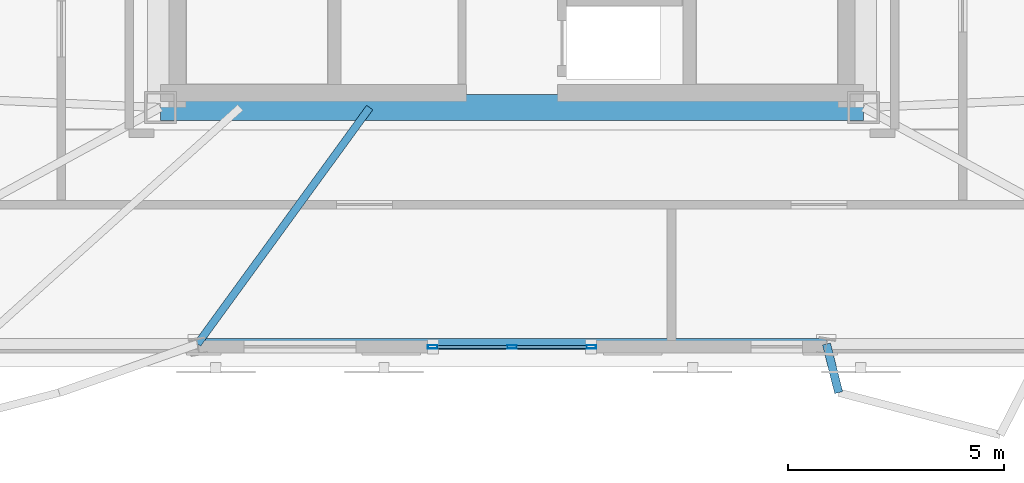
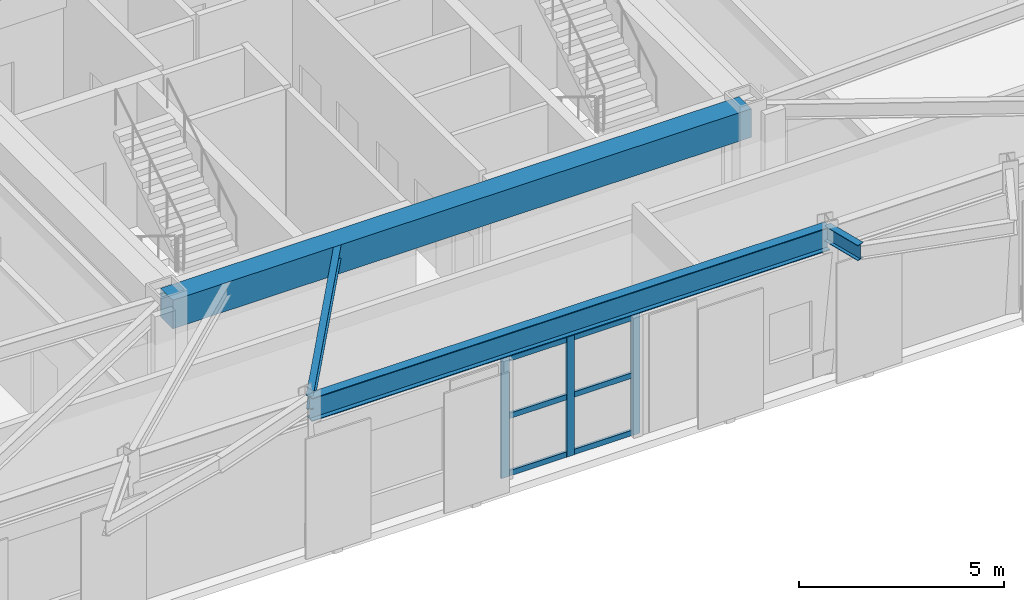
# One storey, part 2 of 14: 9 members, 4 beams, 1 element without a shape of its own.
"""IFC4 building model written with IfcOpenShell, lengths in metres."""

from ifc_helpers import new_model, si_unit, direction, frame, origin, origin_2d, place, context, subcontext, project, spatial, rectangle, hollow_rectangle, i_section, extrude, material, layer, layer_set, material_profile, profile_set, type_object, element, aggregate, save


model = new_model("IFC4")

# Units and contexts
model_context = context("Model", 3, precision=1e-05, world=origin(), true_north=direction((0.0, 1.0)))
body_context = subcontext(model_context, "Body", "Model", "MODEL_VIEW")
ifc_project = project(units=[si_unit("LENGTHUNIT", "METRE"), si_unit("AREAUNIT", "SQUARE_METRE"), si_unit("VOLUMEUNIT", "CUBIC_METRE"), si_unit("PLANEANGLEUNIT", "RADIAN"), si_unit("MASSUNIT", "GRAM", prefix="KILO")], contexts=[model_context])

# Site, building, storey
site_placement = place(None, origin())
site = spatial("IfcSite", under=ifc_project, at=site_placement, CompositionType="ELEMENT")
building_placement = place(site_placement, origin())
building = spatial("IfcBuilding", under=site, at=building_placement, Name="Oramaril Tower", CompositionType="ELEMENT")
storey_placement = place(building_placement, frame((0.0, 0.0, 204.60009765625)))
storey = spatial("IfcBuildingStorey", under=building, at=storey_placement, Name="L54", CompositionType="ELEMENT", Elevation=204.60009765625)

# Beams
ifc_material_1 = material(Name="Steel ASTM A572 Gr 50", Category="steel")
ifc_material_profile_1 = material_profile(ifc_material_1, i_section(OverallWidth=0.19091796875, OverallDepth=0.45703125, WebThickness=0.009033203125, FlangeThickness=0.014404296875, at=origin_2d()), Name="W18X50")
ifc_profile_set_1 = profile_set([ifc_material_profile_1], Name="Steel ASTM A572 Gr 50")
beam_type_1 = type_object("IfcBeamType", Name="BT-BB1", PredefinedType="BEAM", material=ifc_profile_set_1)
beam_1_placement = place(storey_placement, frame((44.793212890625, 5.517333984375, 4.051513671875), z_axis=(0.243918331587, -0.96979577619, 0.0), x_axis=(0.96979577619, 0.243918331587, 0.0)))
element("IfcBeam", 1, at=beam_1_placement, inside=storey, type_object=beam_type_1, Name="L54 Balcony Column-Framed Cantilever 02.1", PredefinedType="BEAM", context=body_context, shape_type="SweptSolid", body=[
    extrude(i_section(OverallWidth=0.19091796875, OverallDepth=0.45703125, WebThickness=0.009033203125, FlangeThickness=0.014404296875, at=origin_2d()), origin(), (0.0, 0.0, 1.0), 1.1630859375),
])
ifc_material_2 = material(Name="Concrete C50/60", Category="concrete")
ifc_material_profile_2 = material_profile(ifc_material_2, rectangle(XDim=0.60009765625, YDim=0.85009765625, at=origin_2d()), Name="CB600X850")
ifc_profile_set_2 = profile_set([ifc_material_profile_2], Name="Concrete C50/60")
beam_type_2 = type_object("IfcBeamType", Name="BT-CB2", PredefinedType="BEAM", material=ifc_profile_set_2)
beam_2_placement = place(storey_placement, frame((29.35009765625, 11.0, 3.85498046875), z_axis=(1.0, 0.0, 0.0), x_axis=(0.0, 1.0, 0.0)))
element("IfcBeam", 2, at=beam_2_placement, inside=storey, type_object=beam_type_2, Name="L54 Core Header Beam CB-1", PredefinedType="BEAM", context=body_context, shape_type="SweptSolid", body=[
    extrude(rectangle(XDim=0.60009765625, YDim=0.85009765625, at=origin_2d()), origin(), (0.0, 0.0, 1.0), 16.2998046875),
])
ifc_material_3 = material(Name="Steel ASTM A572 Gr 50", Category="steel")
ifc_material_profile_3 = material_profile(ifc_material_3, i_section(OverallWidth=0.177978515625, OverallDepth=0.404052734375, WebThickness=0.007568359375, FlangeThickness=0.010986328125, at=origin_2d()), Name="W16X36")
ifc_profile_set_3 = profile_set([ifc_material_profile_3], Name="Steel ASTM A572 Gr 50")
beam_type_3 = type_object("IfcBeamType", Name="BT-SB1", PredefinedType="BEAM", material=ifc_profile_set_3)
beam_3_placement = place(storey_placement, frame((34.199951171875, 11.0, 4.077880859375), z_axis=(-0.588728015827, -0.80833119659, 0.0), x_axis=(0.80833119659, -0.588728015827, 0.0)))
element("IfcBeam", 3, at=beam_3_placement, inside=storey, type_object=beam_type_3, Name="L54 Secondary Floor Beam SB-02", PredefinedType="BEAM", context=body_context, shape_type="SweptSolid", body=[
    extrude(i_section(OverallWidth=0.177978515625, OverallDepth=0.404052734375, WebThickness=0.007568359375, FlangeThickness=0.010986328125, at=origin_2d()), origin(), (0.0, 0.0, 1.0), 6.78271484375),
])
ifc_material_4 = material(Name="Steel ASTM A572 Gr 50", Category="steel")
ifc_material_profile_4 = material_profile(ifc_material_4, i_section(OverallWidth=0.257080078125, OverallDepth=0.693115234375, WebThickness=0.014404296875, FlangeThickness=0.023681640625, at=origin_2d()), Name="W27X114")
ifc_profile_set_4 = profile_set([ifc_material_profile_4], Name="Steel ASTM A572 Gr 50")
beam_type_4 = type_object("IfcBeamType", Name="BT-SP4", PredefinedType="SPANDREL", material=ifc_profile_set_4)
beam_4_placement = place(storey_placement, frame((30.206787109375, 5.517333984375, 3.933349609375), z_axis=(1.0, 0.0, 0.0), x_axis=(0.0, 1.0, 0.0)))
element("IfcBeam", 4, at=beam_4_placement, inside=storey, type_object=beam_type_4, Name="L54 Perimeter Spandrel 04", PredefinedType="SPANDREL", context=body_context, shape_type="SweptSolid", body=[
    extrude(i_section(OverallWidth=0.257080078125, OverallDepth=0.693115234375, WebThickness=0.014404296875, FlangeThickness=0.023681640625, at=origin_2d()), origin(), (0.0, 0.0, 1.0), 14.58642578125),
])

# Curtain wall, members
ifc_material_5 = material(Name="Anodised Aluminium 6063-T6", Category="aluminium")
ifc_layer = layer(ifc_material_5, 0.219970703125)
ifc_layer_set = layer_set([ifc_layer], Name="CWT-SYS5")
curtain_wall_type = type_object("IfcCurtainWallType", Name="CWT-SYS5", PredefinedType="NOTDEFINED", material=ifc_layer_set)
curtain_wall_placement = place(storey_placement, origin())
curtain_wall = element("IfcCurtainWall", 5, at=curtain_wall_placement, inside=storey, type_object=curtain_wall_type, Name="L54 Unitised Curtain Wall CW-5", PredefinedType="NOTDEFINED")
ifc_material_6 = material(Name="Anodised Aluminium 6063-T6", Category="aluminium")
ifc_material_profile_5 = material_profile(ifc_material_6, hollow_rectangle(XDim=0.080078125, YDim=0.219970703125, WallThickness=0.00390625, at=origin_2d()), Name="CWM220X80")
ifc_profile_set_5 = profile_set([ifc_material_profile_5], Name="Anodised Aluminium 6063-T6")
member_type_1 = type_object("IfcMemberType", Name="MT-CWM1", PredefinedType="MULLION", material=ifc_profile_set_5)
member_1_placement = place(storey_placement, frame((35.659912109375, 5.44921875, 0.0), z_axis=(0.0, 0.0, 1.0), x_axis=(0.0, 1.0, 0.0)))
member_1 = element("IfcMember", 6, at=member_1_placement, type_object=member_type_1, Name="CW-5 mullion 1", PredefinedType="MULLION", context=body_context, shape_type="SweptSolid", body=[
    extrude(hollow_rectangle(XDim=0.080078125, YDim=0.219970703125, WallThickness=0.00390625, at=origin_2d()), origin(), (0.0, 0.0, 1.0), 3.576904296875),
])
member_2_placement = place(storey_placement, frame((37.5, 5.44921875, 0.0), z_axis=(0.0, 0.0, 1.0), x_axis=(0.0, 1.0, 0.0)))
member_2 = element("IfcMember", 7, at=member_2_placement, type_object=member_type_1, Name="CW-5 mullion 2", PredefinedType="MULLION", context=body_context, shape_type="SweptSolid", body=[
    extrude(hollow_rectangle(XDim=0.080078125, YDim=0.219970703125, WallThickness=0.00390625, at=origin_2d()), origin(), (0.0, 0.0, 1.0), 3.576904296875),
])
member_3_placement = place(storey_placement, frame((39.340087890625, 5.44921875, 0.0), z_axis=(0.0, 0.0, 1.0), x_axis=(0.0, 1.0, 0.0)))
member_3 = element("IfcMember", 8, at=member_3_placement, type_object=member_type_1, Name="CW-5 mullion 3", PredefinedType="MULLION", context=body_context, shape_type="SweptSolid", body=[
    extrude(hollow_rectangle(XDim=0.080078125, YDim=0.219970703125, WallThickness=0.00390625, at=origin_2d()), origin(), (0.0, 0.0, 1.0), 3.576904296875),
])
ifc_material_7 = material(Name="Anodised Aluminium 6063-T6", Category="aluminium")
ifc_material_profile_6 = material_profile(ifc_material_7, hollow_rectangle(XDim=0.070068359375, YDim=0.159912109375, WallThickness=0.00390625, at=origin_2d()), Name="CWT160X70")
ifc_profile_set_6 = profile_set([ifc_material_profile_6], Name="Anodised Aluminium 6063-T6")
member_type_2 = type_object("IfcMemberType", Name="MT-CWT1", PredefinedType="USERDEFINED", material=ifc_profile_set_6)
member_4_placement = place(storey_placement, frame((35.77001953125, 5.44921875, 0.079833984375), z_axis=(1.0, 0.0, 0.0), x_axis=(0.0, 1.0, 0.0)))
member_4 = element("IfcMember", 9, at=member_4_placement, type_object=member_type_2, Name="CW-5 transom 1.1", ObjectType="TRANSOM", PredefinedType="USERDEFINED", context=body_context, shape_type="SweptSolid", body=[
    extrude(hollow_rectangle(XDim=0.070068359375, YDim=0.159912109375, WallThickness=0.00390625, at=origin_2d()), origin(), (0.0, 0.0, 1.0), 1.619873046875),
])
member_5_placement = place(storey_placement, frame((35.77001953125, 5.44921875, 1.788330078125), z_axis=(1.0, 0.0, 0.0), x_axis=(0.0, 1.0, 0.0)))
member_5 = element("IfcMember", 10, at=member_5_placement, type_object=member_type_2, Name="CW-5 transom 1.2", ObjectType="TRANSOM", PredefinedType="USERDEFINED", context=body_context, shape_type="SweptSolid", body=[
    extrude(hollow_rectangle(XDim=0.070068359375, YDim=0.159912109375, WallThickness=0.00390625, at=origin_2d()), origin(), (0.0, 0.0, 1.0), 1.619873046875),
])
member_6_placement = place(storey_placement, frame((35.77001953125, 5.44921875, 3.496826171875), z_axis=(1.0, 0.0, 0.0), x_axis=(0.0, 1.0, 0.0)))
member_6 = element("IfcMember", 11, at=member_6_placement, type_object=member_type_2, Name="CW-5 transom 1.3", ObjectType="TRANSOM", PredefinedType="USERDEFINED", context=body_context, shape_type="SweptSolid", body=[
    extrude(hollow_rectangle(XDim=0.070068359375, YDim=0.159912109375, WallThickness=0.00390625, at=origin_2d()), origin(), (0.0, 0.0, 1.0), 1.619873046875),
])
member_7_placement = place(storey_placement, frame((37.610107421875, 5.44921875, 0.079833984375), z_axis=(1.0, 0.0, 0.0), x_axis=(0.0, 1.0, 0.0)))
member_7 = element("IfcMember", 12, at=member_7_placement, type_object=member_type_2, Name="CW-5 transom 2.1", ObjectType="TRANSOM", PredefinedType="USERDEFINED", context=body_context, shape_type="SweptSolid", body=[
    extrude(hollow_rectangle(XDim=0.070068359375, YDim=0.159912109375, WallThickness=0.00390625, at=origin_2d()), origin(), (0.0, 0.0, 1.0), 1.619873046875),
])
member_8_placement = place(storey_placement, frame((37.610107421875, 5.44921875, 1.788330078125), z_axis=(1.0, 0.0, 0.0), x_axis=(0.0, 1.0, 0.0)))
member_8 = element("IfcMember", 13, at=member_8_placement, type_object=member_type_2, Name="CW-5 transom 2.2", ObjectType="TRANSOM", PredefinedType="USERDEFINED", context=body_context, shape_type="SweptSolid", body=[
    extrude(hollow_rectangle(XDim=0.070068359375, YDim=0.159912109375, WallThickness=0.00390625, at=origin_2d()), origin(), (0.0, 0.0, 1.0), 1.619873046875),
])
member_9_placement = place(storey_placement, frame((37.610107421875, 5.44921875, 3.496826171875), z_axis=(1.0, 0.0, 0.0), x_axis=(0.0, 1.0, 0.0)))
member_9 = element("IfcMember", 14, at=member_9_placement, type_object=member_type_2, Name="CW-5 transom 2.3", ObjectType="TRANSOM", PredefinedType="USERDEFINED", context=body_context, shape_type="SweptSolid", body=[
    extrude(hollow_rectangle(XDim=0.070068359375, YDim=0.159912109375, WallThickness=0.00390625, at=origin_2d()), origin(), (0.0, 0.0, 1.0), 1.619873046875),
])
aggregate(curtain_wall, [member_1, member_2, member_3, member_4, member_5, member_6, member_7, member_8, member_9])

save(model, "model.ifc")
